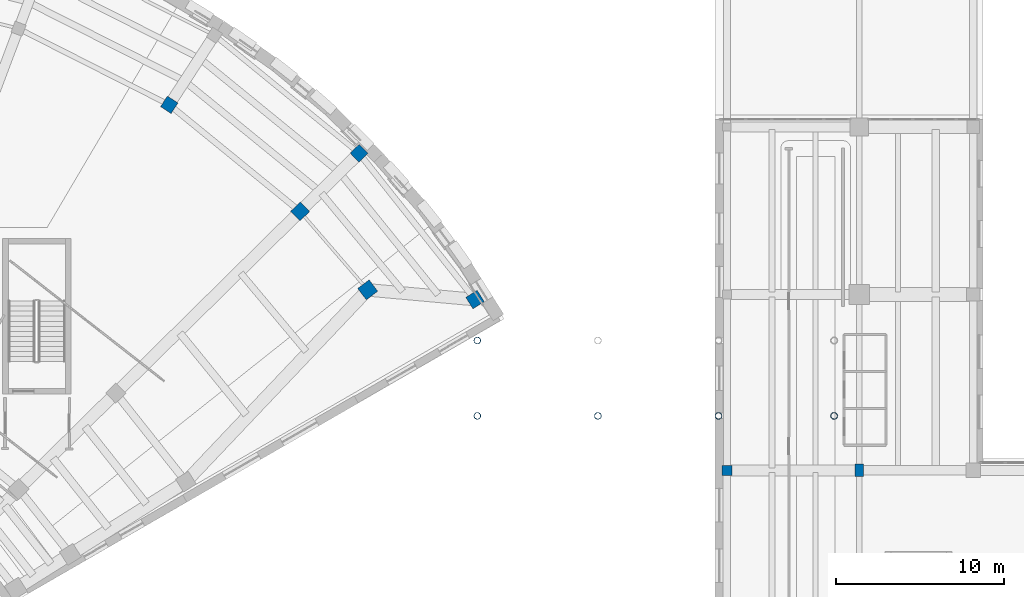
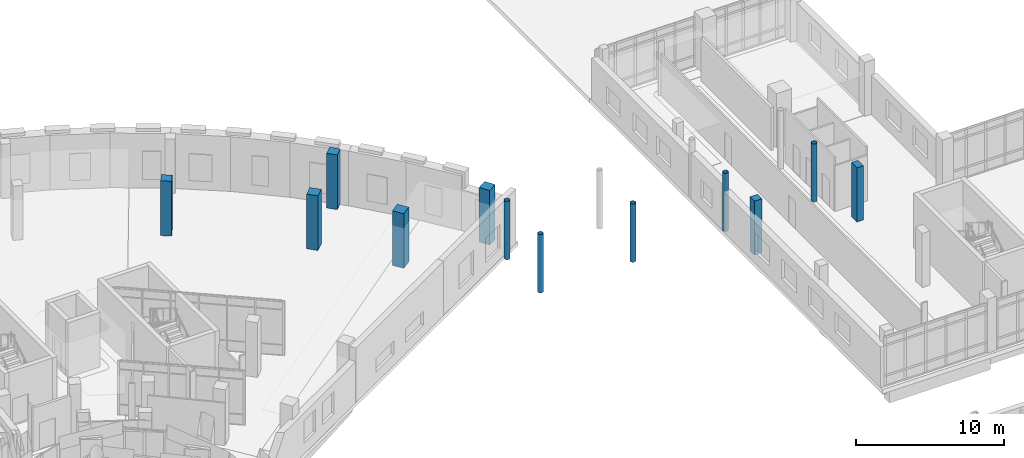
# One storey, part 6 of 89: 12 columns.
"""IFC4 building model written with IfcOpenShell, lengths in metres."""

from ifc_helpers import new_model, si_unit, direction, frame, origin, origin_2d, place, context, subcontext, project, spatial, rectangle, hollow_circle, extrude, material, material_profile, profile_set, type_object, element, save


model = new_model("IFC4")

# Units and contexts
model_context = context("Model", 3, precision=1e-05, world=origin(), true_north=direction((0.0, 1.0)))
body_context = subcontext(model_context, "Body", "Model", "MODEL_VIEW")
ifc_project = project(units=[si_unit("LENGTHUNIT", "METRE"), si_unit("AREAUNIT", "SQUARE_METRE"), si_unit("VOLUMEUNIT", "CUBIC_METRE"), si_unit("PLANEANGLEUNIT", "RADIAN"), si_unit("MASSUNIT", "GRAM", prefix="KILO")], contexts=[model_context])

# Site, building, storey
site_placement = place(None, origin())
site = spatial("IfcSite", under=ifc_project, at=site_placement, CompositionType="ELEMENT")
building_placement = place(site_placement, origin())
building = spatial("IfcBuilding", under=site, at=building_placement, Name="Soyqirgoq Riverine Aquarium", CompositionType="ELEMENT")
storey_placement = place(building_placement, frame((0.0, 0.0, 5.39990234375)))
storey = spatial("IfcBuildingStorey", under=building, at=storey_placement, Name="L02", CompositionType="ELEMENT", Elevation=5.39990234375)

# Columns
ifc_material_1 = material(Name="Concrete C40/50", Category="concrete")
ifc_material_profile_1 = material_profile(ifc_material_1, rectangle(XDim=0.5, YDim=0.75, at=origin_2d()), Name="RC-COL 500x750")
ifc_profile_set_1 = profile_set([ifc_material_profile_1], Name="Concrete C40/50")
column_type_1 = type_object("IfcColumnType", Name="Col_RC_500x750", PredefinedType="COLUMN", material=ifc_profile_set_1)
column_1_placement = place(storey_placement, frame((122.60009765625, 74.300048828125, 0.0), z_axis=(0.0, 0.0, 1.0), x_axis=(1.0, 0.0, 0.0)))
element("IfcColumn", 1, at=column_1_placement, inside=storey, type_object=column_type_1, Name="V7 Column V7-C-10 L02", PredefinedType="COLUMN", context=body_context, shape_type="SweptSolid", body=[
    extrude(rectangle(XDim=0.5, YDim=0.75, at=origin_2d()), origin(), (0.0, 0.0, 1.0), 4.4501953125),
])
ifc_material_2 = material(Name="Concrete C40/50", Category="concrete")
ifc_material_profile_2 = material_profile(ifc_material_2, rectangle(XDim=0.60009765625, YDim=0.60009765625, at=origin_2d()), Name="RC 600x600")
ifc_profile_set_2 = profile_set([ifc_material_profile_2], Name="Concrete C40/50")
column_type_2 = type_object("IfcColumnType", Name="Col_RC_600x600", PredefinedType="COLUMN", material=ifc_profile_set_2)
column_2_placement = place(storey_placement, frame((114.699951171875, 74.300048828125, 0.0), z_axis=(0.0, 0.0, 1.0), x_axis=(1.0, 0.0, 0.0)))
element("IfcColumn", 2, at=column_2_placement, inside=storey, type_object=column_type_2, Name="V7 Column V7-C-03 L02", PredefinedType="COLUMN", context=body_context, shape_type="SweptSolid", body=[
    extrude(rectangle(XDim=0.60009765625, YDim=0.60009765625, at=origin_2d()), origin(), (0.0, 0.0, 1.0), 4.4501953125),
])
ifc_material_3 = material(Name="Concrete C40/50", Category="concrete")
ifc_material_profile_3 = material_profile(ifc_material_3, rectangle(XDim=0.75, YDim=0.75, at=origin_2d()), Name="RC 750x750")
ifc_profile_set_3 = profile_set([ifc_material_profile_3], Name="Concrete C40/50")
column_type_3 = type_object("IfcColumnType", Name="Col_RC_750x750", PredefinedType="COLUMN", material=ifc_profile_set_3)
for number, where, z_axis, x_axis, name in (
    (3, (92.740478515625, 93.231201171875, 0.0), (0.0, 0.0, 1.0), (0.712026045991, 0.702153052995, 0.0), "V5 Column V5-CR5-02 L02"),
    (4, (81.407470703125, 96.1240234375, 0.0), (0.0, 0.0, 1.0), (0.544639035015, 0.838670567945, 0.0), "V5 Column V5-CR4-03 L02"),
):
    element("IfcColumn", number, at=place(storey_placement, frame(where, z_axis=z_axis, x_axis=x_axis)), inside=storey, type_object=column_type_3, Name=name, PredefinedType="COLUMN", context=body_context, shape_type="SweptSolid", body=[
        extrude(rectangle(XDim=0.75, YDim=0.75, at=origin_2d()), origin(), (0.0, 0.0, 1.0), 4.5),
    ])
ifc_material_4 = material(Name="Concrete C40/50", Category="concrete")
ifc_material_profile_4 = material_profile(ifc_material_4, rectangle(XDim=0.800048828125, YDim=0.800048828125, at=origin_2d()), Name="RC 800x800")
ifc_profile_set_4 = profile_set([ifc_material_profile_4], Name="Concrete C40/50")
column_type_4 = type_object("IfcColumnType", Name="Col_RC_800x800", PredefinedType="COLUMN", material=ifc_profile_set_4)
for number, where, z_axis, x_axis, name in (
    (5, (99.66357421875, 84.496337890625, 0.0), (0.0, 0.0, 1.0), (0.846193166128, 0.532876276071, 0.0), "V5 Column V5-CR5-01 L02"),
    (6, (89.216064453125, 89.75537109375, 0.0), (0.0, 0.0, 1.0), (0.712026045991, 0.702153052995, 0.0), "V5 Column V5-CR4-02 L02"),
):
    element("IfcColumn", number, at=place(storey_placement, frame(where, z_axis=z_axis, x_axis=x_axis)), inside=storey, type_object=column_type_4, Name=name, PredefinedType="COLUMN", context=body_context, shape_type="SweptSolid", body=[
        extrude(rectangle(XDim=0.800048828125, YDim=0.800048828125, at=origin_2d()), origin(), (0.0, 0.0, 1.0), 4.5),
    ])
ifc_material_5 = material(Name="Concrete C40/50", Category="concrete")
ifc_material_profile_5 = material_profile(ifc_material_5, rectangle(XDim=0.85009765625, YDim=0.85009765625, at=origin_2d()), Name="RC 850x850")
ifc_profile_set_5 = profile_set([ifc_material_profile_5], Name="Concrete C40/50")
column_type_5 = type_object("IfcColumnType", Name="Col_RC_850x850", PredefinedType="COLUMN", material=ifc_profile_set_5)
column_3_placement = place(storey_placement, frame((93.25634765625, 85.07470703125, 0.0), z_axis=(0.0, 0.0, 1.0), x_axis=(0.798635510047, 0.601815023152, 0.0)))
element("IfcColumn", 7, at=column_3_placement, inside=storey, type_object=column_type_5, Name="V5 Column V5-CR4-01 L02", PredefinedType="COLUMN", context=body_context, shape_type="SweptSolid", body=[
    extrude(rectangle(XDim=0.85009765625, YDim=0.85009765625, at=origin_2d()), origin(), (0.0, 0.0, 1.0), 4.5),
])
ifc_material_6 = material(Name="Structural steel S355", Category="steel")
ifc_material_profile_6 = material_profile(ifc_material_6, hollow_circle(Radius=0.203125, WallThickness=0.01611328125, at=origin_2d()), Name="CHS 406.4x16")
ifc_profile_set_6 = profile_set([ifc_material_profile_6], Name="Structural steel S355")
column_type_6 = type_object("IfcColumnType", Name="Col_Steel_CHS406", PredefinedType="COLUMN", material=ifc_profile_set_6)
for number, where, z_axis, x_axis, name in (
    (8, (99.800048828125, 77.550048828125, 0.0), (0.0, 0.0, 1.0), (1.0, 0.0, 0.0), "Bridge Pier Column BR-2-CP-99-S L02"),
    (9, (99.800048828125, 82.050048828125, 0.0), (0.0, 0.0, 1.0), (1.0, 0.0, 0.0), "Bridge Pier Column BR-2-CP-99-N L02"),
    (10, (107.0, 77.550048828125, 0.0), (0.0, 0.0, 1.0), (1.0, 0.0, 0.0), "Bridge Pier Column BR-2-CP-107-S L02"),
    (11, (114.199951171875, 77.550048828125, 0.0), (0.0, 0.0, 1.0), (1.0, 0.0, 0.0), "Bridge Pier Column BR-2-CP-114-S L02"),
    (12, (121.10009765625, 77.550048828125, 0.0), (0.0, 0.0, 1.0), (1.0, 0.0, 0.0), "Bridge Pier Column BR-2-CP-121-S L02"),
):
    element("IfcColumn", number, at=place(storey_placement, frame(where, z_axis=z_axis, x_axis=x_axis)), inside=storey, type_object=column_type_6, Name=name, PredefinedType="COLUMN", context=body_context, shape_type="SweptSolid", body=[
        extrude(hollow_circle(Radius=0.203125, WallThickness=0.01611328125, at=origin_2d()), origin(), (0.0, 0.0, 1.0), 4.800048828125),
    ])

save(model, "model.ifc")
